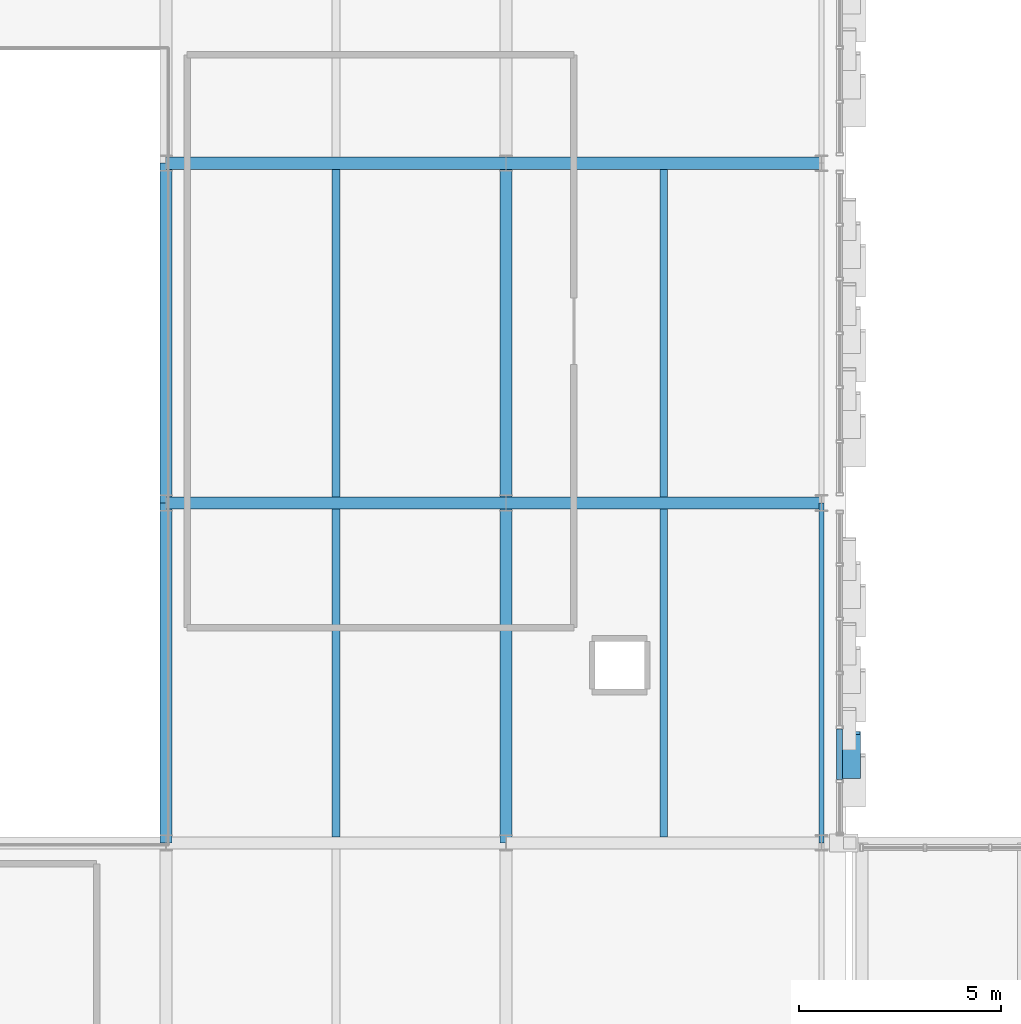
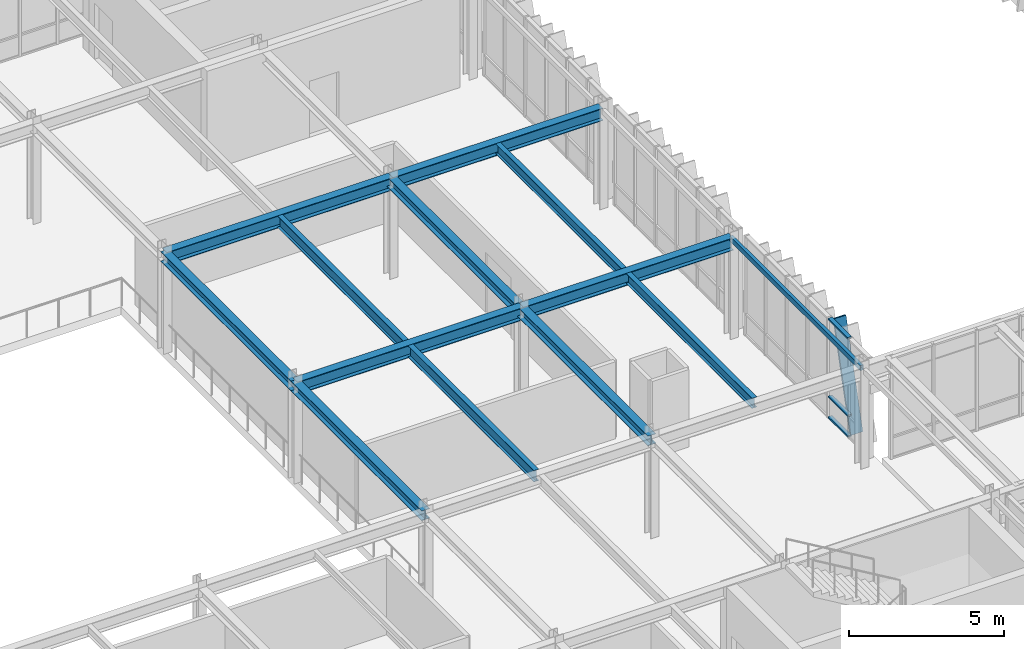
# One storey, part 59 of 127: 13 beams, 4 members, 1 element without a shape of its own.
"""IFC4 building model written with IfcOpenShell, lengths in metres."""

import ifcopenshell
import ifcopenshell.guid

model = None  # the IFC model being written
_history = None  # IfcOwnerHistory: only IFC2X3 demands one
_inside = {}  # id of a spatial element -> (the spatial element, [elements in it])
_under = {}  # id of a project, library or spatial element -> (it, [spatial elements below it])
_declared = {}  # id of a project -> (the project, [libraries it declares])
_typed = {}  # id of a type object -> (the type object, [elements of that type])
_made_of = {}  # id of a material, layer set ... -> (it, [elements and type objects made of it])


def new_model(schema):
    """Start an empty IFC model of exactly this schema.

    Asked for "IFC4X3", IfcOpenShell would pick the latest addendum, in which some entities
    have other attributes; the version numbers below select the first issue.
    IFC2X3 requires an IfcOwnerHistory on every rooted entity: one is made here for all.
    """
    global model, _history
    if schema == "IFC4X3":
        model = ifcopenshell.file(schema_version=(4, 3, 0, 0))
    else:
        model = ifcopenshell.file(schema=schema)
    _inside.clear()
    _under.clear()
    _declared.clear()
    _typed.clear()
    _made_of.clear()
    _history = None
    if model.schema == "IFC2X3":
        org = make("IfcOrganization", Name="unknown")
        user = make(
            "IfcPersonAndOrganization",
            ThePerson=make("IfcPerson", FamilyName="unknown"),
            TheOrganization=org,
        )
        app = make(
            "IfcApplication",
            ApplicationDeveloper=org,
            Version="unknown",
            ApplicationFullName="unknown",
            ApplicationIdentifier="unknown",
        )
        _history = make(
            "IfcOwnerHistory",
            OwningUser=user,
            OwningApplication=app,
            ChangeAction="ADDED",
            CreationDate=0,
        )
    return model


def make(cls, **values):
    """One entity of the class cls with the attributes given. An attribute that is None is left unset."""
    return model.create_entity(
        cls, **{name: value for name, value in values.items() if value is not None}
    )


def rooted(cls, **values):
    """An entity with a GlobalId (a new one), such as an element, a storey or a relation."""
    return make(cls, GlobalId=ifcopenshell.guid.new(), OwnerHistory=_history, **values)


def si_unit(unit_type, name, prefix=None):
    """IfcSIUnit, for example si_unit("LENGTHUNIT", "METRE", prefix="MILLI")."""
    return make("IfcSIUnit", UnitType=unit_type, Prefix=prefix, Name=name)


def assignment(units):
    """IfcUnitAssignment: the units of a project."""
    return None if units is None else make("IfcUnitAssignment", Units=units)


def point(xyz):
    """IfcCartesianPoint."""
    return None if xyz is None else make("IfcCartesianPoint", Coordinates=xyz)


def direction(xyz):
    """IfcDirection."""
    return None if xyz is None else make("IfcDirection", DirectionRatios=xyz)


def frame(location, z_axis=None, x_axis=None):
    """IfcAxis2Placement3D, a coordinate frame: its origin and axes. An axis left out is left unset."""
    return make(
        "IfcAxis2Placement3D",
        Location=point(location),
        Axis=direction(z_axis),
        RefDirection=direction(x_axis),
    )


def frame_2d(location, x_axis=None):
    """IfcAxis2Placement2D, a coordinate frame in the plane: its origin and x axis."""
    return make(
        "IfcAxis2Placement2D", Location=point(location), RefDirection=direction(x_axis)
    )


def origin():
    """The frame at (0, 0, 0) with its axes left unset."""
    return frame((0.0, 0.0, 0.0))


def origin_2d():
    """The frame at (0, 0) in the plane with its x axis left unset."""
    return frame_2d((0.0, 0.0))


def place(relative_to, where):
    """IfcLocalPlacement: puts the frame where relative to a parent placement (None: the world)."""
    return make(
        "IfcLocalPlacement", PlacementRelTo=relative_to, RelativePlacement=where
    )


def context(
    kind, dimensions, precision=None, world=None, true_north=None, identifier=None
):
    """IfcGeometricRepresentationContext, for example the 3D "Model" context."""
    return make(
        "IfcGeometricRepresentationContext",
        ContextIdentifier=identifier,
        ContextType=kind,
        CoordinateSpaceDimension=dimensions,
        Precision=precision,
        WorldCoordinateSystem=world,
        TrueNorth=true_north,
    )


def subcontext(parent, identifier, kind, view, scale=None):
    """IfcGeometricRepresentationSubContext, for example "Body" below "Model"."""
    return make(
        "IfcGeometricRepresentationSubContext",
        ContextIdentifier=identifier,
        ContextType=kind,
        ParentContext=parent,
        TargetScale=scale,
        TargetView=view,
    )


def project(units=None, contexts=None):
    """IfcProject with its units and contexts."""
    return rooted(
        "IfcProject",
        Name="project",
        RepresentationContexts=contexts,
        UnitsInContext=assignment(units),
    )


def spatial(cls, under=None, at=None, **own):
    """A site, building, storey or space (cls), placed at a placement, below another one or the project."""
    s = rooted(cls, ObjectPlacement=at, **own)
    if under is not None:
        _under.setdefault(under.id(), (under, []))[1].append(s)
    return s


def profile(cls, at=None, kind="AREA", **sizes):
    """A parametric profile (cls). Its sizes go by their IFC names, for example OverallWidth=200.0."""
    return make(cls, ProfileType=kind, Position=at, **sizes)


def hollow_rectangle(**sizes):
    """IfcRectangleHollowProfileDef."""
    return profile("IfcRectangleHollowProfileDef", **sizes)


def i_section(**sizes):
    """IfcIShapeProfileDef."""
    return profile("IfcIShapeProfileDef", **sizes)


def extrude(swept, where, along, depth):
    """IfcExtrudedAreaSolid: the profile swept, set in the frame where, extruded along a direction by depth."""
    return make(
        "IfcExtrudedAreaSolid",
        SweptArea=swept,
        Position=where,
        ExtrudedDirection=direction(along),
        Depth=depth,
    )


def shape(context_of_items, identifier, shape_type, items):
    """IfcShapeRepresentation: the items that make up one representation, for example the "Body"."""
    return make(
        "IfcShapeRepresentation",
        ContextOfItems=context_of_items,
        RepresentationIdentifier=identifier,
        RepresentationType=shape_type,
        Items=items,
    )


def material(Name=None, Category=None):
    """IfcMaterial."""
    return make("IfcMaterial", Name=Name, Category=Category)


def layer(
    of_material, thickness, ventilated=None, Name=None, Category=None, Priority=None
):
    """IfcMaterialLayer: one layer of a wall or slab, of a material (None: an air gap)."""
    return make(
        "IfcMaterialLayer",
        Material=of_material,
        LayerThickness=thickness,
        IsVentilated=ventilated,
        Name=Name,
        Category=Category,
        Priority=Priority,
    )


def layer_set(layers, Name=None):
    """IfcMaterialLayerSet."""
    return make("IfcMaterialLayerSet", MaterialLayers=layers, LayerSetName=Name)


def material_profile(
    of_material, cross_section, Name=None, Category=None, Priority=None
):
    """IfcMaterialProfile: a cross section and its material."""
    return make(
        "IfcMaterialProfile",
        Name=Name,
        Material=of_material,
        Profile=cross_section,
        Priority=Priority,
        Category=Category,
    )


def profile_set(profiles, Name=None, composite=None):
    """IfcMaterialProfileSet."""
    return make(
        "IfcMaterialProfileSet",
        Name=Name,
        MaterialProfiles=profiles,
        CompositeProfile=composite,
    )


def made_of(thing, what):
    """Note that an element or type object is made of a material, layer set ...; save() writes the relation."""
    if what is not None:
        _made_of.setdefault(what.id(), (what, []))[1].append(thing)
    return thing


def type_object(cls, material=None, **own):
    """A type object (cls), such as IfcWallType, which elements share."""
    return made_of(rooted(cls, **own), material)


def element(
    cls,
    number,
    at=None,
    inside=None,
    cuts=None,
    type_object=None,
    material=None,
    context=None,
    identifier="Body",
    shape_type=None,
    held_by="IfcProductDefinitionShape",
    body=None,
    shapes=None,
    **own,
):
    """One element of the class cls, such as IfcWall. Its Tag is "e" and its number.

    at: its placement. inside: the storey or other place that contains it. cuts: it is an
    opening in that element (IfcRelVoidsElement). A single representation is given by context,
    identifier, shape_type and body (its items); several are given by shapes. held_by: the class
    of the entity that holds the representations. save() writes the other relations.
    """
    e = rooted(cls, Tag="e%d" % number, ObjectPlacement=at, **own)
    if body is not None:
        shapes = [shape(context, identifier, shape_type, body)]
    if shapes is not None:
        e.Representation = make(held_by, Representations=shapes)
    if inside is not None:
        _inside.setdefault(inside.id(), (inside, []))[1].append(e)
    if cuts is not None:
        rooted(
            "IfcRelVoidsElement", RelatingBuildingElement=cuts, RelatedOpeningElement=e
        )
    if type_object is not None:
        _typed.setdefault(type_object.id(), (type_object, []))[1].append(e)
    return made_of(e, material)


def aggregate(whole, parts):
    """IfcRelAggregates: a whole, such as a stair, and the parts it consists of."""
    return rooted("IfcRelAggregates", RelatingObject=whole, RelatedObjects=parts)


def save(model, path):
    """Write the relations noted so far, then the file.

    IfcRelAggregates (storeys below a building ...), IfcRelContainedInSpatialStructure (elements
    in a storey), IfcRelDefinesByType, IfcRelAssociatesMaterial and IfcRelDeclares: one each for
    every whole, place, type object, material and project.
    """
    for whole, parts in _under.values():
        aggregate(whole, parts)
    for where, things in _inside.values():
        rooted(
            "IfcRelContainedInSpatialStructure",
            RelatedElements=things,
            RelatingStructure=where,
        )
    for kind, things in _typed.values():
        rooted("IfcRelDefinesByType", RelatedObjects=things, RelatingType=kind)
    for what, things in _made_of.values():
        rooted("IfcRelAssociatesMaterial", RelatedObjects=things, RelatingMaterial=what)
    for by, libraries in _declared.values():
        rooted("IfcRelDeclares", RelatingContext=by, RelatedDefinitions=libraries)
    model.write(path)


model = new_model("IFC4")

# Units and contexts
model_context = context("Model", 3, precision=1e-05, world=origin(), true_north=direction((0.0, 1.0)))
body_context = subcontext(model_context, "Body", "Model", "MODEL_VIEW")
ifc_project = project(units=[si_unit("LENGTHUNIT", "METRE"), si_unit("AREAUNIT", "SQUARE_METRE"), si_unit("VOLUMEUNIT", "CUBIC_METRE"), si_unit("PLANEANGLEUNIT", "RADIAN"), si_unit("MASSUNIT", "GRAM", prefix="KILO")], contexts=[model_context])

# Site, building, storey
site_placement = place(None, origin())
site = spatial("IfcSite", under=ifc_project, at=site_placement, CompositionType="ELEMENT")
building_placement = place(site_placement, origin())
building = spatial("IfcBuilding", under=site, at=building_placement, Name="Zayran Congress Hotel", CompositionType="ELEMENT")
storey_placement = place(building_placement, frame((0.0, 0.0, 10.800048828125)))
storey = spatial("IfcBuildingStorey", under=building, at=storey_placement, Name="L02", CompositionType="ELEMENT", Elevation=10.800048828125)

# Beams
ifc_material_1 = material(Name="Steel S355", Category="steel")
ifc_material_profile_1 = material_profile(ifc_material_1, i_section(OverallWidth=0.300048828125, OverallDepth=0.489990234375, WebThickness=0.011962890625, FlangeThickness=0.02294921875, at=origin_2d()), Name="HEA 500")
ifc_profile_set_1 = profile_set([ifc_material_profile_1], Name="Steel S355")
beam_type_1 = type_object("IfcBeamType", Name="TP-BM-05", PredefinedType="BEAM", material=ifc_profile_set_1)
beam_1_placement = place(storey_placement, frame((75.60009765625, 92.800048828125, 3.675048828125), z_axis=(1.0, 0.0, 0.0), x_axis=(0.0, 1.0, 0.0)))
element("IfcBeam", 1, at=beam_1_placement, inside=storey, type_object=beam_type_1, Name="BM-V1-L02-0684", PredefinedType="BEAM", context=body_context, shape_type="SweptSolid", body=[
    extrude(i_section(OverallWidth=0.300048828125, OverallDepth=0.489990234375, WebThickness=0.011962890625, FlangeThickness=0.02294921875, at=origin_2d()), origin(), (0.0, 0.0, 1.0), 8.39990234375),
])
beam_2_placement = place(storey_placement, frame((84.0, 92.800048828125, 3.675048828125), z_axis=(1.0, 0.0, 0.0), x_axis=(0.0, 1.0, 0.0)))
element("IfcBeam", 2, at=beam_2_placement, inside=storey, type_object=beam_type_1, Name="BM-V1-L02-0685", PredefinedType="BEAM", context=body_context, shape_type="SweptSolid", body=[
    extrude(i_section(OverallWidth=0.300048828125, OverallDepth=0.489990234375, WebThickness=0.011962890625, FlangeThickness=0.02294921875, at=origin_2d()), origin(), (0.0, 0.0, 1.0), 7.800048828125),
])
beam_3_placement = place(storey_placement, frame((75.60009765625, 101.199951171875, 3.675048828125), z_axis=(1.0, 0.0, 0.0), x_axis=(0.0, 1.0, 0.0)))
element("IfcBeam", 3, at=beam_3_placement, inside=storey, type_object=beam_type_1, Name="BM-V1-L02-0688", PredefinedType="BEAM", context=body_context, shape_type="SweptSolid", body=[
    extrude(i_section(OverallWidth=0.300048828125, OverallDepth=0.489990234375, WebThickness=0.011962890625, FlangeThickness=0.02294921875, at=origin_2d()), origin(), (0.0, 0.0, 1.0), 8.39990234375),
])
beam_4_placement = place(storey_placement, frame((84.0, 101.199951171875, 3.675048828125), z_axis=(1.0, 0.0, 0.0), x_axis=(0.0, 1.0, 0.0)))
element("IfcBeam", 4, at=beam_4_placement, inside=storey, type_object=beam_type_1, Name="BM-V1-L02-0689", PredefinedType="BEAM", context=body_context, shape_type="SweptSolid", body=[
    extrude(i_section(OverallWidth=0.300048828125, OverallDepth=0.489990234375, WebThickness=0.011962890625, FlangeThickness=0.02294921875, at=origin_2d()), origin(), (0.0, 0.0, 1.0), 7.800048828125),
])
ifc_material_profile_2 = material_profile(ifc_material_1, i_section(OverallWidth=0.300048828125, OverallDepth=0.389892578125, WebThickness=0.010986328125, FlangeThickness=0.01904296875, at=origin_2d()), Name="HEA 400")
ifc_profile_set_2 = profile_set([ifc_material_profile_2], Name="Steel S355")
beam_type_2 = type_object("IfcBeamType", Name="TP-BM-06", PredefinedType="BEAM", material=ifc_profile_set_2)
beam_5_placement = place(storey_placement, frame((75.60009765625, 84.39990234375, 3.724853515625), z_axis=(0.0, 1.0, 0.0), x_axis=(-1.0, 0.0, 0.0)))
element("IfcBeam", 5, at=beam_5_placement, inside=storey, type_object=beam_type_2, Name="BM-V1-L02-0743", PredefinedType="BEAM", context=body_context, shape_type="SweptSolid", body=[
    extrude(i_section(OverallWidth=0.300048828125, OverallDepth=0.389892578125, WebThickness=0.010986328125, FlangeThickness=0.01904296875, at=origin_2d()), origin(), (0.0, 0.0, 1.0), 8.400146484375),
])
beam_6_placement = place(storey_placement, frame((75.60009765625, 92.800048828125, 3.724853515625), z_axis=(0.0, 1.0, 0.0), x_axis=(-1.0, 0.0, 0.0)))
element("IfcBeam", 6, at=beam_6_placement, inside=storey, type_object=beam_type_2, Name="BM-V1-L02-0744", PredefinedType="BEAM", context=body_context, shape_type="SweptSolid", body=[
    extrude(i_section(OverallWidth=0.300048828125, OverallDepth=0.389892578125, WebThickness=0.010986328125, FlangeThickness=0.01904296875, at=origin_2d()), origin(), (0.0, 0.0, 1.0), 8.39990234375),
])
beam_7_placement = place(storey_placement, frame((84.0, 84.39990234375, 3.724853515625), z_axis=(0.0, 1.0, 0.0), x_axis=(-1.0, 0.0, 0.0)))
element("IfcBeam", 7, at=beam_7_placement, inside=storey, type_object=beam_type_2, Name="BM-V1-L02-0748", PredefinedType="BEAM", context=body_context, shape_type="SweptSolid", body=[
    extrude(i_section(OverallWidth=0.300048828125, OverallDepth=0.389892578125, WebThickness=0.010986328125, FlangeThickness=0.01904296875, at=origin_2d()), origin(), (0.0, 0.0, 1.0), 8.400146484375),
])
beam_8_placement = place(storey_placement, frame((84.0, 92.800048828125, 3.724853515625), z_axis=(0.0, 1.0, 0.0), x_axis=(-1.0, 0.0, 0.0)))
element("IfcBeam", 8, at=beam_8_placement, inside=storey, type_object=beam_type_2, Name="BM-V1-L02-0749", PredefinedType="BEAM", context=body_context, shape_type="SweptSolid", body=[
    extrude(i_section(OverallWidth=0.300048828125, OverallDepth=0.389892578125, WebThickness=0.010986328125, FlangeThickness=0.01904296875, at=origin_2d()), origin(), (0.0, 0.0, 1.0), 8.39990234375),
])
ifc_material_profile_3 = material_profile(ifc_material_1, i_section(OverallWidth=0.18994140625, OverallDepth=0.449951171875, WebThickness=0.009521484375, FlangeThickness=0.0146484375, at=origin_2d()), Name="IPE 450")
ifc_profile_set_3 = profile_set([ifc_material_profile_3], Name="Steel S355")
beam_type_3 = type_object("IfcBeamType", Name="TP-JS-02", PredefinedType="JOIST", material=ifc_profile_set_3)
beam_9_placement = place(storey_placement, frame((79.800048828125, 84.550048828125, 3.695068359375), z_axis=(0.0, 1.0, 0.0), x_axis=(-1.0, 0.0, 0.0)))
element("IfcBeam", 9, at=beam_9_placement, inside=storey, type_object=beam_type_3, Name="JST-V1-L02-0785", PredefinedType="JOIST", context=body_context, shape_type="SweptSolid", body=[
    extrude(i_section(OverallWidth=0.18994140625, OverallDepth=0.449951171875, WebThickness=0.009521484375, FlangeThickness=0.0146484375, at=origin_2d()), origin(), (0.0, 0.0, 1.0), 8.099853515625),
])
beam_10_placement = place(storey_placement, frame((79.800048828125, 92.949951171875, 3.695068359375), z_axis=(0.0, 1.0, 0.0), x_axis=(-1.0, 0.0, 0.0)))
element("IfcBeam", 10, at=beam_10_placement, inside=storey, type_object=beam_type_3, Name="JST-V1-L02-0786", PredefinedType="JOIST", context=body_context, shape_type="SweptSolid", body=[
    extrude(i_section(OverallWidth=0.18994140625, OverallDepth=0.449951171875, WebThickness=0.009521484375, FlangeThickness=0.0146484375, at=origin_2d()), origin(), (0.0, 0.0, 1.0), 8.10009765625),
])
ifc_material_profile_4 = material_profile(ifc_material_1, i_section(OverallWidth=0.179931640625, OverallDepth=0.39990234375, WebThickness=0.008544921875, FlangeThickness=0.013427734375, at=origin_2d()), Name="IPE 400")
ifc_profile_set_4 = profile_set([ifc_material_profile_4], Name="Steel S355")
beam_type_4 = type_object("IfcBeamType", Name="TP-JS-03", PredefinedType="JOIST", material=ifc_profile_set_4)
beam_11_placement = place(storey_placement, frame((87.89990234375, 84.550048828125, 3.719970703125), z_axis=(0.0, 1.0, 0.0), x_axis=(-1.0, 0.0, 0.0)))
element("IfcBeam", 11, at=beam_11_placement, inside=storey, type_object=beam_type_4, Name="JST-V1-L02-0789", PredefinedType="JOIST", context=body_context, shape_type="SweptSolid", body=[
    extrude(i_section(OverallWidth=0.179931640625, OverallDepth=0.39990234375, WebThickness=0.008544921875, FlangeThickness=0.013427734375, at=origin_2d()), origin(), (0.0, 0.0, 1.0), 8.099853515625),
])
beam_12_placement = place(storey_placement, frame((87.89990234375, 92.949951171875, 3.719970703125), z_axis=(0.0, 1.0, 0.0), x_axis=(-1.0, 0.0, 0.0)))
element("IfcBeam", 12, at=beam_12_placement, inside=storey, type_object=beam_type_4, Name="JST-V1-L02-0790", PredefinedType="JOIST", context=body_context, shape_type="SweptSolid", body=[
    extrude(i_section(OverallWidth=0.179931640625, OverallDepth=0.39990234375, WebThickness=0.008544921875, FlangeThickness=0.013427734375, at=origin_2d()), origin(), (0.0, 0.0, 1.0), 8.10009765625),
])
ifc_material_profile_5 = material_profile(ifc_material_1, hollow_rectangle(XDim=0.1201171875, YDim=0.199951171875, WallThickness=0.008056640625, at=origin_2d()), Name="RHS 200x120x8")
ifc_profile_set_5 = profile_set([ifc_material_profile_5], Name="Steel S355")
beam_type_5 = type_object("IfcBeamType", Name="TP-SP-02", PredefinedType="SPANDREL", material=ifc_profile_set_5)
beam_13_placement = place(storey_placement, frame((91.800048828125, 84.39990234375, 3.820068359375), z_axis=(0.0, 1.0, 0.0), x_axis=(-1.0, 0.0, 0.0)))
element("IfcBeam", 13, at=beam_13_placement, inside=storey, type_object=beam_type_5, Name="BM-V1-L02-0753", PredefinedType="SPANDREL", context=body_context, shape_type="SweptSolid", body=[
    extrude(hollow_rectangle(XDim=0.1201171875, YDim=0.199951171875, WallThickness=0.008056640625, at=origin_2d()), origin(), (0.0, 0.0, 1.0), 8.400146484375),
])

# Curtain wall, members
ifc_material_2 = material(Name="Anodised aluminium and low-E insulated glass", Category="aluminium")
ifc_layer = layer(ifc_material_2, 0.179931640625)
ifc_layer_set = layer_set([ifc_layer], Name="Anodised aluminium and low-E insulated glass")
curtain_wall_type = type_object("IfcCurtainWallType", Name="CW-V1E-L02-CW-41-8040-3920", PredefinedType="USERDEFINED", material=ifc_layer_set)
curtain_wall_placement = place(storey_placement, origin())
curtain_wall = element("IfcCurtainWall", 14, at=curtain_wall_placement, inside=storey, type_object=curtain_wall_type, Name="CW-V1E-L02-2", ObjectType="CURTAIN WALL", PredefinedType="USERDEFINED")
ifc_material_3 = material(Name="Anodised aluminium framing", Category="aluminium")
ifc_material_profile_6 = material_profile(ifc_material_3, hollow_rectangle(XDim=0.06005859375, YDim=0.14990234375, WallThickness=0.00390625, at=origin_2d()), Name="RHS 150x60x4")
ifc_profile_set_6 = profile_set([ifc_material_profile_6], Name="Anodised aluminium framing")
member_type_1 = type_object("IfcMemberType", Name="TP-CWT-01", PredefinedType="USERDEFINED", material=ifc_profile_set_6)
member_1_placement = place(storey_placement, frame((92.25, 85.9599609375, 0.030029296875), z_axis=(0.0, 1.0, 0.0), x_axis=(0.0, 0.0, 1.0)))
member_1 = element("IfcMember", 15, at=member_1_placement, type_object=member_type_1, Name="CW-V1E-L02-2-T01-0", ObjectType="TRANSOM", PredefinedType="USERDEFINED", context=body_context, shape_type="SweptSolid", body=[
    extrude(hollow_rectangle(XDim=0.06005859375, YDim=0.14990234375, WallThickness=0.00390625, at=origin_2d()), origin(), (0.0, 0.0, 1.0), 1.260009765625),
])
member_2_placement = place(storey_placement, frame((92.25, 85.9599609375, 0.83984375), z_axis=(0.0, 1.0, 0.0), x_axis=(0.0, 0.0, 1.0)))
member_2 = element("IfcMember", 16, at=member_2_placement, type_object=member_type_1, Name="CW-V1E-L02-2-T01-1", ObjectType="TRANSOM", PredefinedType="USERDEFINED", context=body_context, shape_type="SweptSolid", body=[
    extrude(hollow_rectangle(XDim=0.06005859375, YDim=0.14990234375, WallThickness=0.00390625, at=origin_2d()), origin(), (0.0, 0.0, 1.0), 1.260009765625),
])
member_3_placement = place(storey_placement, frame((92.25, 85.9599609375, 3.889892578125), z_axis=(0.0, 1.0, 0.0), x_axis=(0.0, 0.0, 1.0)))
member_3 = element("IfcMember", 17, at=member_3_placement, type_object=member_type_1, Name="CW-V1E-L02-2-T01-2", ObjectType="TRANSOM", PredefinedType="USERDEFINED", context=body_context, shape_type="SweptSolid", body=[
    extrude(hollow_rectangle(XDim=0.06005859375, YDim=0.14990234375, WallThickness=0.00390625, at=origin_2d()), origin(), (0.0, 0.0, 1.0), 1.260009765625),
])
ifc_material_4 = material(Name="Warm bronze anodised aluminium", Category="aluminium")
ifc_material_profile_7 = material_profile(ifc_material_4, hollow_rectangle(XDim=0.080078125, YDim=0.449951171875, WallThickness=0.006103515625, at=origin_2d()), Name="RHS 450x80x6")
ifc_profile_set_7 = profile_set([ifc_material_profile_7], Name="Warm bronze anodised aluminium")
member_type_2 = type_object("IfcMemberType", Name="TP-RFN-02", PredefinedType="MULLION", material=ifc_profile_set_7)
member_4_placement = place(storey_placement, frame((92.534912109375, 86.030029296875, 0.0), z_axis=(0.0, 0.267253820088, 0.963626170072), x_axis=(0.0, -0.963626170072, 0.267253820088)))
member_4 = element("IfcMember", 18, at=member_4_placement, type_object=member_type_2, Name="Slanting Reed Mullion CW-41-02", PredefinedType="MULLION", context=body_context, shape_type="SweptSolid", body=[
    extrude(hollow_rectangle(XDim=0.080078125, YDim=0.449951171875, WallThickness=0.006103515625, at=origin_2d()), origin(), (0.0, 0.0, 1.0), 4.06787109375),
])
aggregate(curtain_wall, [member_1, member_2, member_3, member_4])

save(model, "model.ifc")
